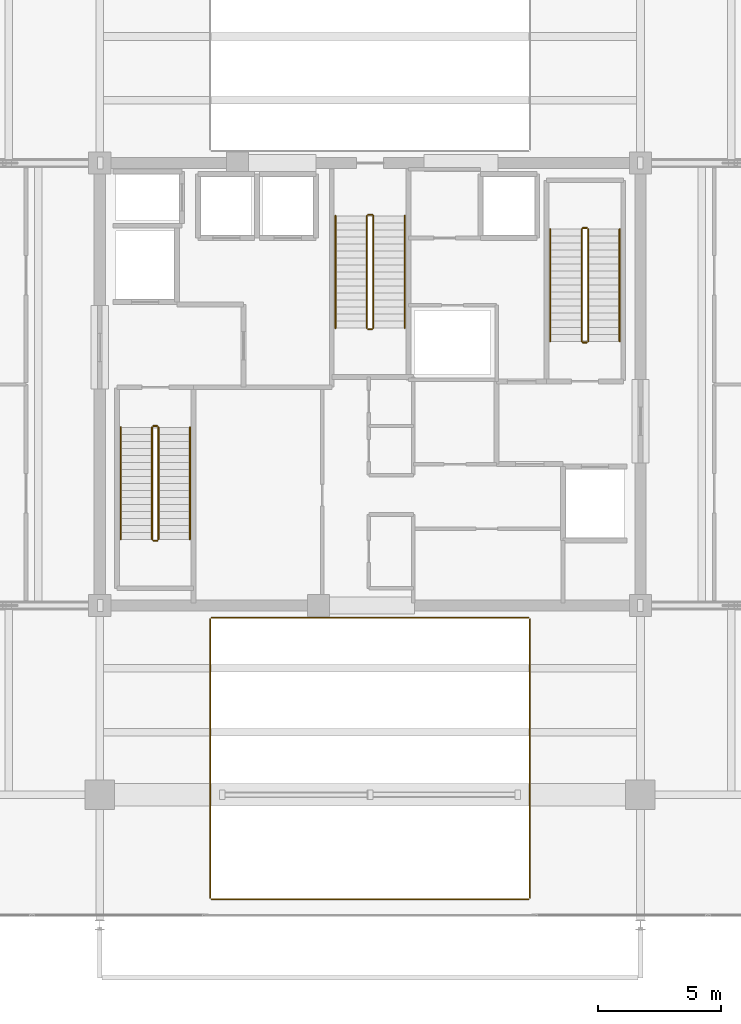
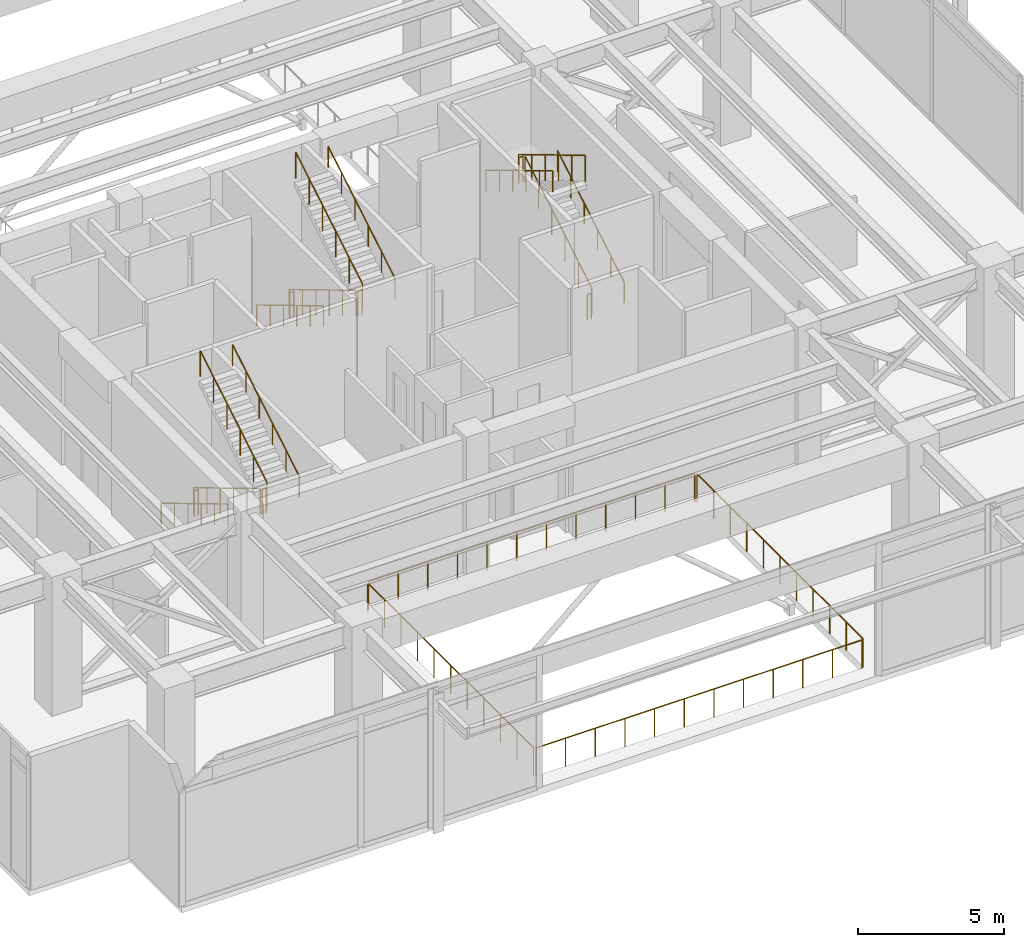
# One storey, part 25 of 26: 22 railings.
"""IFC4 building model written with IfcOpenShell, lengths in metres."""

from ifc_helpers import new_model, si_unit, direction, frame, origin, origin_2d, place, context, subcontext, project, spatial, circle, extrude, material, type_object, element, save


model = new_model("IFC4")

# Units and contexts
model_context = context("Model", 3, precision=1e-05, world=origin(), true_north=direction((0.0, 1.0)))
body_context = subcontext(model_context, "Body", "Model", "MODEL_VIEW")
ifc_project = project(units=[si_unit("LENGTHUNIT", "METRE"), si_unit("AREAUNIT", "SQUARE_METRE"), si_unit("VOLUMEUNIT", "CUBIC_METRE"), si_unit("PLANEANGLEUNIT", "RADIAN"), si_unit("MASSUNIT", "GRAM", prefix="KILO")], contexts=[model_context])

# Site, building, storey
site_placement = place(None, origin())
site = spatial("IfcSite", under=ifc_project, at=site_placement, CompositionType="ELEMENT")
building_placement = place(site_placement, origin())
building = spatial("IfcBuilding", under=site, at=building_placement, Name="Kovane Verandah Tower", CompositionType="ELEMENT")
storey_placement = place(building_placement, frame((0.0, 0.0, 301.0)))
storey = spatial("IfcBuildingStorey", under=building, at=storey_placement, Name="L70", CompositionType="ELEMENT", Elevation=301.0)

# Railings
ifc_material_1 = material(Name="Pale-Champagne Stainless Steel and Glass Perimeter Guard", Category="steel")
railing_type_1 = type_object("IfcRailingType", Name="RL-GDN-1200", PredefinedType="GUARDRAIL", material=ifc_material_1)
railing_1_placement = place(storey_placement, frame((33.56005859375, 6.550048828125, 0.0)))
element("IfcRailing", 1, at=railing_1_placement, inside=storey, type_object=railing_type_1, Name="L70 Wind-Portal S Perimeter Guard S", PredefinedType="GUARDRAIL", context=body_context, shape_type="SweptSolid", body=[
    extrude(circle(Radius=0.02392578125, at=origin_2d()), frame((0.0, 0.0, 1.17578125), z_axis=(1.0, 0.0, 0.0), x_axis=(0.0, 1.0, 0.0)), (0.0, 0.0, 1.0), 12.8798828125),
    extrude(circle(Radius=0.02099609375, at=origin_2d()), origin(), (0.0, 0.0, 1.0), 1.15185546875),
    extrude(circle(Radius=0.02099609375, at=origin_2d()), frame((1.1708984375, 0.0, 0.0)), (0.0, 0.0, 1.0), 1.15185546875),
    extrude(circle(Radius=0.02099609375, at=origin_2d()), frame((2.341796875, 0.0, 0.0)), (0.0, 0.0, 1.0), 1.15185546875),
    extrude(circle(Radius=0.02099609375, at=origin_2d()), frame((3.5126953125, 0.0, 0.0)), (0.0, 0.0, 1.0), 1.15185546875),
    extrude(circle(Radius=0.02099609375, at=origin_2d()), frame((4.68359375, 0.0, 0.0)), (0.0, 0.0, 1.0), 1.15185546875),
    extrude(circle(Radius=0.02099609375, at=origin_2d()), frame((5.8544921875, 0.0, 0.0)), (0.0, 0.0, 1.0), 1.15185546875),
    extrude(circle(Radius=0.02099609375, at=origin_2d()), frame((7.025390625, 0.0, 0.0)), (0.0, 0.0, 1.0), 1.15185546875),
    extrude(circle(Radius=0.02099609375, at=origin_2d()), frame((8.1962890625, 0.0, 0.0)), (0.0, 0.0, 1.0), 1.15185546875),
    extrude(circle(Radius=0.02099609375, at=origin_2d()), frame((9.3671875, 0.0, 0.0)), (0.0, 0.0, 1.0), 1.15185546875),
    extrude(circle(Radius=0.02099609375, at=origin_2d()), frame((10.5380859375, 0.0, 0.0)), (0.0, 0.0, 1.0), 1.15185546875),
    extrude(circle(Radius=0.02099609375, at=origin_2d()), frame((11.708984375, 0.0, 0.0)), (0.0, 0.0, 1.0), 1.15185546875),
    extrude(circle(Radius=0.02099609375, at=origin_2d()), frame((12.8798828125, 0.0, 0.0)), (0.0, 0.0, 1.0), 1.15185546875),
])
railing_2_placement = place(storey_placement, frame((46.5, 6.610107421875, 0.0)))
element("IfcRailing", 2, at=railing_2_placement, inside=storey, type_object=railing_type_1, Name="L70 Wind-Portal S Perimeter Guard E", PredefinedType="GUARDRAIL", context=body_context, shape_type="SweptSolid", body=[
    extrude(circle(Radius=0.02392578125, at=origin_2d()), frame((0.0, 0.0, 1.17578125), z_axis=(0.0, 1.0, 0.0), x_axis=(-1.0, 0.0, 0.0)), (0.0, 0.0, 1.0), 11.329833984375),
    extrude(circle(Radius=0.02099609375, at=origin_2d()), origin(), (0.0, 0.0, 1.0), 1.15185546875),
    extrude(circle(Radius=0.02099609375, at=origin_2d()), frame((0.0, 1.133056640625, 0.0)), (0.0, 0.0, 1.0), 1.15185546875),
    extrude(circle(Radius=0.02099609375, at=origin_2d()), frame((0.0, 2.265869140625, 0.0)), (0.0, 0.0, 1.0), 1.15185546875),
    extrude(circle(Radius=0.02099609375, at=origin_2d()), frame((0.0, 3.39892578125, 0.0)), (0.0, 0.0, 1.0), 1.15185546875),
    extrude(circle(Radius=0.02099609375, at=origin_2d()), frame((0.0, 4.531982421875, 0.0)), (0.0, 0.0, 1.0), 1.15185546875),
    extrude(circle(Radius=0.02099609375, at=origin_2d()), frame((0.0, 5.6650390625, 0.0)), (0.0, 0.0, 1.0), 1.15185546875),
    extrude(circle(Radius=0.02099609375, at=origin_2d()), frame((0.0, 6.7978515625, 0.0)), (0.0, 0.0, 1.0), 1.15185546875),
    extrude(circle(Radius=0.02099609375, at=origin_2d()), frame((0.0, 7.930908203125, 0.0)), (0.0, 0.0, 1.0), 1.15185546875),
    extrude(circle(Radius=0.02099609375, at=origin_2d()), frame((0.0, 9.06396484375, 0.0)), (0.0, 0.0, 1.0), 1.15185546875),
    extrude(circle(Radius=0.02099609375, at=origin_2d()), frame((0.0, 10.19677734375, 0.0)), (0.0, 0.0, 1.0), 1.15185546875),
    extrude(circle(Radius=0.02099609375, at=origin_2d()), frame((0.0, 11.329833984375, 0.0)), (0.0, 0.0, 1.0), 1.15185546875),
])
railing_3_placement = place(storey_placement, frame((46.43994140625, 18.0, 0.0)))
element("IfcRailing", 3, at=railing_3_placement, inside=storey, type_object=railing_type_1, Name="L70 Wind-Portal S Perimeter Guard N", PredefinedType="GUARDRAIL", context=body_context, shape_type="SweptSolid", body=[
    extrude(circle(Radius=0.02392578125, at=origin_2d()), frame((0.0, 0.0, 1.17578125), z_axis=(-1.0, 0.0, 0.0), x_axis=(0.0, -1.0, 0.0)), (0.0, 0.0, 1.0), 12.8798828125),
    extrude(circle(Radius=0.02099609375, at=origin_2d()), origin(), (0.0, 0.0, 1.0), 1.15185546875),
    extrude(circle(Radius=0.02099609375, at=origin_2d()), frame((-1.1708984375, 0.0, 0.0)), (0.0, 0.0, 1.0), 1.15185546875),
    extrude(circle(Radius=0.02099609375, at=origin_2d()), frame((-2.341796875, 0.0, 0.0)), (0.0, 0.0, 1.0), 1.15185546875),
    extrude(circle(Radius=0.02099609375, at=origin_2d()), frame((-3.5126953125, 0.0, 0.0)), (0.0, 0.0, 1.0), 1.15185546875),
    extrude(circle(Radius=0.02099609375, at=origin_2d()), frame((-4.68359375, 0.0, 0.0)), (0.0, 0.0, 1.0), 1.15185546875),
    extrude(circle(Radius=0.02099609375, at=origin_2d()), frame((-5.8544921875, 0.0, 0.0)), (0.0, 0.0, 1.0), 1.15185546875),
    extrude(circle(Radius=0.02099609375, at=origin_2d()), frame((-7.025390625, 0.0, 0.0)), (0.0, 0.0, 1.0), 1.15185546875),
    extrude(circle(Radius=0.02099609375, at=origin_2d()), frame((-8.1962890625, 0.0, 0.0)), (0.0, 0.0, 1.0), 1.15185546875),
    extrude(circle(Radius=0.02099609375, at=origin_2d()), frame((-9.3671875, 0.0, 0.0)), (0.0, 0.0, 1.0), 1.15185546875),
    extrude(circle(Radius=0.02099609375, at=origin_2d()), frame((-10.5380859375, 0.0, 0.0)), (0.0, 0.0, 1.0), 1.15185546875),
    extrude(circle(Radius=0.02099609375, at=origin_2d()), frame((-11.708984375, 0.0, 0.0)), (0.0, 0.0, 1.0), 1.15185546875),
    extrude(circle(Radius=0.02099609375, at=origin_2d()), frame((-12.8798828125, 0.0, 0.0)), (0.0, 0.0, 1.0), 1.15185546875),
])
railing_4_placement = place(storey_placement, frame((33.5, 17.93994140625, 0.0)))
element("IfcRailing", 4, at=railing_4_placement, inside=storey, type_object=railing_type_1, Name="L70 Wind-Portal S Perimeter Guard W", PredefinedType="GUARDRAIL", context=body_context, shape_type="SweptSolid", body=[
    extrude(circle(Radius=0.02392578125, at=origin_2d()), frame((0.0, 0.0, 1.17578125), z_axis=(0.0, -1.0, 0.0), x_axis=(1.0, 0.0, 0.0)), (0.0, 0.0, 1.0), 11.329833984375),
    extrude(circle(Radius=0.02099609375, at=origin_2d()), origin(), (0.0, 0.0, 1.0), 1.15185546875),
    extrude(circle(Radius=0.02099609375, at=origin_2d()), frame((0.0, -1.133056640625, 0.0)), (0.0, 0.0, 1.0), 1.15185546875),
    extrude(circle(Radius=0.02099609375, at=origin_2d()), frame((0.0, -2.265869140625, 0.0)), (0.0, 0.0, 1.0), 1.15185546875),
    extrude(circle(Radius=0.02099609375, at=origin_2d()), frame((0.0, -3.39892578125, 0.0)), (0.0, 0.0, 1.0), 1.15185546875),
    extrude(circle(Radius=0.02099609375, at=origin_2d()), frame((0.0, -4.531982421875, 0.0)), (0.0, 0.0, 1.0), 1.15185546875),
    extrude(circle(Radius=0.02099609375, at=origin_2d()), frame((0.0, -5.6650390625, 0.0)), (0.0, 0.0, 1.0), 1.15185546875),
    extrude(circle(Radius=0.02099609375, at=origin_2d()), frame((0.0, -6.7978515625, 0.0)), (0.0, 0.0, 1.0), 1.15185546875),
    extrude(circle(Radius=0.02099609375, at=origin_2d()), frame((0.0, -7.930908203125, 0.0)), (0.0, 0.0, 1.0), 1.15185546875),
    extrude(circle(Radius=0.02099609375, at=origin_2d()), frame((0.0, -9.06396484375, 0.0)), (0.0, 0.0, 1.0), 1.15185546875),
    extrude(circle(Radius=0.02099609375, at=origin_2d()), frame((0.0, -10.19677734375, 0.0)), (0.0, 0.0, 1.0), 1.15185546875),
    extrude(circle(Radius=0.02099609375, at=origin_2d()), frame((0.0, -11.329833984375, 0.0)), (0.0, 0.0, 1.0), 1.15185546875),
])
ifc_material_2 = material(Name="Brushed Stainless Steel Handrail", Category="steel")
railing_type_2 = type_object("IfcRailingType", Name="RL-HAND-920", PredefinedType="HANDRAIL", material=ifc_material_2)
railing_5_placement = place(storey_placement, frame((29.85009765625, 25.75, 0.170654296875)))
element("IfcRailing", 5, at=railing_5_placement, inside=storey, type_object=railing_type_2, Name="L70 ST-01 stair handrail 1", PredefinedType="HANDRAIL", context=body_context, shape_type="SweptSolid", body=[
    extrude(circle(Radius=0.02392578125, at=origin_2d()), frame((0.0, 0.0, 0.8759765625), z_axis=(0.0, -0.858055844578, 0.513556391827), x_axis=(1.0, 0.0, 0.0)), (0.0, 0.0, 1.0), 5.314453125),
    extrude(circle(Radius=0.02099609375, at=origin_2d()), origin(), (0.0, 0.0, 1.0), 0.851806640625),
    extrude(circle(Radius=0.02099609375, at=origin_2d()), frame((0.0, -0.912109375, 0.5458984375)), (0.0, 0.0, 1.0), 0.851806640625),
    extrude(circle(Radius=0.02099609375, at=origin_2d()), frame((0.0, -1.823974609375, 1.091796875)), (0.0, 0.0, 1.0), 0.851806640625),
    extrude(circle(Radius=0.02099609375, at=origin_2d()), frame((0.0, -2.736083984375, 1.637451171875)), (0.0, 0.0, 1.0), 0.851806640625),
    extrude(circle(Radius=0.02099609375, at=origin_2d()), frame((0.0, -3.64794921875, 2.183349609375)), (0.0, 0.0, 1.0), 0.851806640625),
    extrude(circle(Radius=0.02099609375, at=origin_2d()), frame((0.0, -4.56005859375, 2.729248046875)), (0.0, 0.0, 1.0), 0.851806640625),
])
railing_6_placement = place(storey_placement, frame((32.669921875, 21.18994140625, 3.070556640625)))
element("IfcRailing", 6, at=railing_6_placement, inside=storey, type_object=railing_type_2, Name="L70 ST-01 stair handrail 2", PredefinedType="HANDRAIL", context=body_context, shape_type="SweptSolid", body=[
    extrude(circle(Radius=0.02392578125, at=origin_2d()), frame((0.0, 0.0, 0.8759765625), z_axis=(0.0, 0.858035600736, 0.513590213954), x_axis=(-1.0, 0.0, 0.0)), (0.0, 0.0, 1.0), 5.314453125),
    extrude(circle(Radius=0.02099609375, at=origin_2d()), origin(), (0.0, 0.0, 1.0), 0.851806640625),
    extrude(circle(Radius=0.02099609375, at=origin_2d()), frame((0.0, 0.912109375, 0.5458984375)), (0.0, 0.0, 1.0), 0.851806640625),
    extrude(circle(Radius=0.02099609375, at=origin_2d()), frame((0.0, 1.823974609375, 1.091796875)), (0.0, 0.0, 1.0), 0.851806640625),
    extrude(circle(Radius=0.02099609375, at=origin_2d()), frame((0.0, 2.736083984375, 1.6376953125)), (0.0, 0.0, 1.0), 0.851806640625),
    extrude(circle(Radius=0.02099609375, at=origin_2d()), frame((0.0, 3.64794921875, 2.18359375)), (0.0, 0.0, 1.0), 0.851806640625),
    extrude(circle(Radius=0.02099609375, at=origin_2d()), frame((0.0, 4.56005859375, 2.7294921875)), (0.0, 0.0, 1.0), 0.851806640625),
])
railing_7_placement = place(storey_placement, frame((50.14990234375, 29.25, 0.170654296875)))
element("IfcRailing", 7, at=railing_7_placement, inside=storey, type_object=railing_type_2, Name="L70 ST-02 stair handrail 1", PredefinedType="HANDRAIL", context=body_context, shape_type="SweptSolid", body=[
    extrude(circle(Radius=0.02392578125, at=origin_2d()), frame((0.0, 0.0, 0.8759765625), z_axis=(0.0, 0.858055844578, 0.513556391827), x_axis=(-1.0, 0.0, 0.0)), (0.0, 0.0, 1.0), 5.314453125),
    extrude(circle(Radius=0.02099609375, at=origin_2d()), origin(), (0.0, 0.0, 1.0), 0.851806640625),
    extrude(circle(Radius=0.02099609375, at=origin_2d()), frame((0.0, 0.912109375, 0.5458984375)), (0.0, 0.0, 1.0), 0.851806640625),
    extrude(circle(Radius=0.02099609375, at=origin_2d()), frame((0.0, 1.823974609375, 1.091796875)), (0.0, 0.0, 1.0), 0.851806640625),
    extrude(circle(Radius=0.02099609375, at=origin_2d()), frame((0.0, 2.736083984375, 1.637451171875)), (0.0, 0.0, 1.0), 0.851806640625),
    extrude(circle(Radius=0.02099609375, at=origin_2d()), frame((0.0, 3.64794921875, 2.183349609375)), (0.0, 0.0, 1.0), 0.851806640625),
    extrude(circle(Radius=0.02099609375, at=origin_2d()), frame((0.0, 4.56005859375, 2.729248046875)), (0.0, 0.0, 1.0), 0.851806640625),
])
railing_8_placement = place(storey_placement, frame((47.330078125, 33.81005859375, 3.070556640625)))
element("IfcRailing", 8, at=railing_8_placement, inside=storey, type_object=railing_type_2, Name="L70 ST-02 stair handrail 2", PredefinedType="HANDRAIL", context=body_context, shape_type="SweptSolid", body=[
    extrude(circle(Radius=0.02392578125, at=origin_2d()), frame((0.0, 0.0, 0.8759765625), z_axis=(0.0, -0.858035600736, 0.513590213954), x_axis=(1.0, 0.0, 0.0)), (0.0, 0.0, 1.0), 5.314453125),
    extrude(circle(Radius=0.02099609375, at=origin_2d()), origin(), (0.0, 0.0, 1.0), 0.851806640625),
    extrude(circle(Radius=0.02099609375, at=origin_2d()), frame((0.0, -0.912109375, 0.5458984375)), (0.0, 0.0, 1.0), 0.851806640625),
    extrude(circle(Radius=0.02099609375, at=origin_2d()), frame((0.0, -1.823974609375, 1.091796875)), (0.0, 0.0, 1.0), 0.851806640625),
    extrude(circle(Radius=0.02099609375, at=origin_2d()), frame((0.0, -2.736083984375, 1.6376953125)), (0.0, 0.0, 1.0), 0.851806640625),
    extrude(circle(Radius=0.02099609375, at=origin_2d()), frame((0.0, -3.64794921875, 2.18359375)), (0.0, 0.0, 1.0), 0.851806640625),
    extrude(circle(Radius=0.02099609375, at=origin_2d()), frame((0.0, -4.56005859375, 2.7294921875)), (0.0, 0.0, 1.0), 0.851806640625),
])
railing_9_placement = place(storey_placement, frame((38.590087890625, 34.35009765625, 0.170654296875)))
element("IfcRailing", 9, at=railing_9_placement, inside=storey, type_object=railing_type_2, Name="L70 ST-03 stair handrail 1", PredefinedType="HANDRAIL", context=body_context, shape_type="SweptSolid", body=[
    extrude(circle(Radius=0.02392578125, at=origin_2d()), frame((0.0, 0.0, 0.8759765625), z_axis=(0.0, -0.858055844578, 0.513556391827), x_axis=(1.0, 0.0, 0.0)), (0.0, 0.0, 1.0), 5.314453125),
    extrude(circle(Radius=0.02099609375, at=origin_2d()), origin(), (0.0, 0.0, 1.0), 0.851806640625),
    extrude(circle(Radius=0.02099609375, at=origin_2d()), frame((0.0, -0.912109375, 0.5458984375)), (0.0, 0.0, 1.0), 0.851806640625),
    extrude(circle(Radius=0.02099609375, at=origin_2d()), frame((0.0, -1.823974609375, 1.091796875)), (0.0, 0.0, 1.0), 0.851806640625),
    extrude(circle(Radius=0.02099609375, at=origin_2d()), frame((0.0, -2.736083984375, 1.637451171875)), (0.0, 0.0, 1.0), 0.851806640625),
    extrude(circle(Radius=0.02099609375, at=origin_2d()), frame((0.0, -3.64794921875, 2.183349609375)), (0.0, 0.0, 1.0), 0.851806640625),
    extrude(circle(Radius=0.02099609375, at=origin_2d()), frame((0.0, -4.56005859375, 2.729248046875)), (0.0, 0.0, 1.0), 0.851806640625),
])
railing_10_placement = place(storey_placement, frame((41.409912109375, 29.7900390625, 3.070556640625)))
element("IfcRailing", 10, at=railing_10_placement, inside=storey, type_object=railing_type_2, Name="L70 ST-03 stair handrail 2", PredefinedType="HANDRAIL", context=body_context, shape_type="SweptSolid", body=[
    extrude(circle(Radius=0.02392578125, at=origin_2d()), frame((0.0, 0.0, 0.8759765625), z_axis=(0.0, 0.858035600736, 0.513590213954), x_axis=(-1.0, 0.0, 0.0)), (0.0, 0.0, 1.0), 5.314453125),
    extrude(circle(Radius=0.02099609375, at=origin_2d()), origin(), (0.0, 0.0, 1.0), 0.851806640625),
    extrude(circle(Radius=0.02099609375, at=origin_2d()), frame((0.0, 0.912109375, 0.5458984375)), (0.0, 0.0, 1.0), 0.851806640625),
    extrude(circle(Radius=0.02099609375, at=origin_2d()), frame((0.0, 1.823974609375, 1.091796875)), (0.0, 0.0, 1.0), 0.851806640625),
    extrude(circle(Radius=0.02099609375, at=origin_2d()), frame((0.0, 2.736083984375, 1.6376953125)), (0.0, 0.0, 1.0), 0.851806640625),
    extrude(circle(Radius=0.02099609375, at=origin_2d()), frame((0.0, 3.64794921875, 2.18359375)), (0.0, 0.0, 1.0), 0.851806640625),
    extrude(circle(Radius=0.02099609375, at=origin_2d()), frame((0.0, 4.56005859375, 2.7294921875)), (0.0, 0.0, 1.0), 0.851806640625),
])
ifc_material_3 = material(Name="Painted Steel Stairwell Guardrail", Category="steel")
railing_type_3 = type_object("IfcRailingType", Name="RL-STGUARD-1120", PredefinedType="GUARDRAIL", material=ifc_material_3)
railing_11_placement = place(storey_placement, frame((31.1298828125, 25.75, 0.170654296875)))
element("IfcRailing", 11, at=railing_11_placement, inside=storey, type_object=railing_type_3, Name="L70 ST-01 stair guard 1", PredefinedType="GUARDRAIL", context=body_context, shape_type="SweptSolid", body=[
    extrude(circle(Radius=0.02392578125, at=origin_2d()), frame((0.0, 0.0, 1.076171875), z_axis=(0.0, -0.858055844578, 0.513556391827), x_axis=(1.0, 0.0, 0.0)), (0.0, 0.0, 1.0), 5.314453125),
    extrude(circle(Radius=0.02099609375, at=origin_2d()), origin(), (0.0, 0.0, 1.0), 1.052001953125),
    extrude(circle(Radius=0.02099609375, at=origin_2d()), frame((0.0, -0.912109375, 0.5458984375)), (0.0, 0.0, 1.0), 1.052001953125),
    extrude(circle(Radius=0.02099609375, at=origin_2d()), frame((0.0, -1.823974609375, 1.091796875)), (0.0, 0.0, 1.0), 1.052001953125),
    extrude(circle(Radius=0.02099609375, at=origin_2d()), frame((0.0, -2.736083984375, 1.637451171875)), (0.0, 0.0, 1.0), 1.052001953125),
    extrude(circle(Radius=0.02099609375, at=origin_2d()), frame((0.0, -3.64794921875, 2.183349609375)), (0.0, 0.0, 1.0), 1.052001953125),
    extrude(circle(Radius=0.02099609375, at=origin_2d()), frame((0.0, -4.56005859375, 2.729248046875)), (0.0, 0.0, 1.0), 1.052001953125),
])
railing_12_placement = place(storey_placement, frame((31.179931640625, 21.139892578125, 2.89990234375)))
element("IfcRailing", 12, at=railing_12_placement, inside=storey, type_object=railing_type_3, Name="L70 ST-01 stair guard 2", PredefinedType="GUARDRAIL", context=body_context, shape_type="SweptSolid", body=[
    extrude(circle(Radius=0.02392578125, at=origin_2d()), frame((0.0, 0.0, 1.076171875), z_axis=(1.0, 0.0, 0.0), x_axis=(0.0, 1.0, 0.0)), (0.0, 0.0, 1.0), 0.16015625),
    extrude(circle(Radius=0.02099609375, at=origin_2d()), origin(), (0.0, 0.0, 1.0), 1.052001953125),
    extrude(circle(Radius=0.02099609375, at=origin_2d()), frame((0.16015625, 0.0, 0.0)), (0.0, 0.0, 1.0), 1.052001953125),
])
railing_13_placement = place(storey_placement, frame((31.389892578125, 21.18994140625, 3.070556640625)))
element("IfcRailing", 13, at=railing_13_placement, inside=storey, type_object=railing_type_3, Name="L70 ST-01 stair guard 3", PredefinedType="GUARDRAIL", context=body_context, shape_type="SweptSolid", body=[
    extrude(circle(Radius=0.02392578125, at=origin_2d()), frame((0.0, 0.0, 1.076171875), z_axis=(0.0, 0.858035600736, 0.513590213954), x_axis=(-1.0, 0.0, 0.0)), (0.0, 0.0, 1.0), 5.314453125),
    extrude(circle(Radius=0.02099609375, at=origin_2d()), origin(), (0.0, 0.0, 1.0), 1.052001953125),
    extrude(circle(Radius=0.02099609375, at=origin_2d()), frame((0.0, 0.912109375, 0.5458984375)), (0.0, 0.0, 1.0), 1.052001953125),
    extrude(circle(Radius=0.02099609375, at=origin_2d()), frame((0.0, 1.823974609375, 1.091796875)), (0.0, 0.0, 1.0), 1.052001953125),
    extrude(circle(Radius=0.02099609375, at=origin_2d()), frame((0.0, 2.736083984375, 1.6376953125)), (0.0, 0.0, 1.0), 1.052001953125),
    extrude(circle(Radius=0.02099609375, at=origin_2d()), frame((0.0, 3.64794921875, 2.18359375)), (0.0, 0.0, 1.0), 1.052001953125),
    extrude(circle(Radius=0.02099609375, at=origin_2d()), frame((0.0, 4.56005859375, 2.7294921875)), (0.0, 0.0, 1.0), 1.052001953125),
])
railing_14_placement = place(storey_placement, frame((31.179931640625, 25.800048828125, 0.0)))
element("IfcRailing", 14, at=railing_14_placement, inside=storey, type_object=railing_type_3, Name="L70 ST-01 stair guard 4", PredefinedType="GUARDRAIL", context=body_context, shape_type="SweptSolid", body=[
    extrude(circle(Radius=0.02392578125, at=origin_2d()), frame((0.0, 0.0, 1.076171875), z_axis=(1.0, 0.0, 0.0), x_axis=(0.0, 1.0, 0.0)), (0.0, 0.0, 1.0), 0.16015625),
    extrude(circle(Radius=0.02099609375, at=origin_2d()), origin(), (0.0, 0.0, 1.0), 1.052001953125),
    extrude(circle(Radius=0.02099609375, at=origin_2d()), frame((0.16015625, 0.0, 0.0)), (0.0, 0.0, 1.0), 1.052001953125),
])
railing_15_placement = place(storey_placement, frame((48.8701171875, 29.25, 0.170654296875)))
element("IfcRailing", 15, at=railing_15_placement, inside=storey, type_object=railing_type_3, Name="L70 ST-02 stair guard 1", PredefinedType="GUARDRAIL", context=body_context, shape_type="SweptSolid", body=[
    extrude(circle(Radius=0.02392578125, at=origin_2d()), frame((0.0, 0.0, 1.076171875), z_axis=(0.0, 0.858055844578, 0.513556391827), x_axis=(-1.0, 0.0, 0.0)), (0.0, 0.0, 1.0), 5.314453125),
    extrude(circle(Radius=0.02099609375, at=origin_2d()), origin(), (0.0, 0.0, 1.0), 1.052001953125),
    extrude(circle(Radius=0.02099609375, at=origin_2d()), frame((0.0, 0.912109375, 0.5458984375)), (0.0, 0.0, 1.0), 1.052001953125),
    extrude(circle(Radius=0.02099609375, at=origin_2d()), frame((0.0, 1.823974609375, 1.091796875)), (0.0, 0.0, 1.0), 1.052001953125),
    extrude(circle(Radius=0.02099609375, at=origin_2d()), frame((0.0, 2.736083984375, 1.637451171875)), (0.0, 0.0, 1.0), 1.052001953125),
    extrude(circle(Radius=0.02099609375, at=origin_2d()), frame((0.0, 3.64794921875, 2.183349609375)), (0.0, 0.0, 1.0), 1.052001953125),
    extrude(circle(Radius=0.02099609375, at=origin_2d()), frame((0.0, 4.56005859375, 2.729248046875)), (0.0, 0.0, 1.0), 1.052001953125),
])
railing_16_placement = place(storey_placement, frame((48.820068359375, 33.860107421875, 2.89990234375)))
element("IfcRailing", 16, at=railing_16_placement, inside=storey, type_object=railing_type_3, Name="L70 ST-02 stair guard 2", PredefinedType="GUARDRAIL", context=body_context, shape_type="SweptSolid", body=[
    extrude(circle(Radius=0.02392578125, at=origin_2d()), frame((0.0, 0.0, 1.076171875), z_axis=(-1.0, 0.0, 0.0), x_axis=(0.0, -1.0, 0.0)), (0.0, 0.0, 1.0), 0.16015625),
    extrude(circle(Radius=0.02099609375, at=origin_2d()), origin(), (0.0, 0.0, 1.0), 1.052001953125),
    extrude(circle(Radius=0.02099609375, at=origin_2d()), frame((-0.16015625, 0.0, 0.0)), (0.0, 0.0, 1.0), 1.052001953125),
])
railing_17_placement = place(storey_placement, frame((48.610107421875, 33.81005859375, 3.070556640625)))
element("IfcRailing", 17, at=railing_17_placement, inside=storey, type_object=railing_type_3, Name="L70 ST-02 stair guard 3", PredefinedType="GUARDRAIL", context=body_context, shape_type="SweptSolid", body=[
    extrude(circle(Radius=0.02392578125, at=origin_2d()), frame((0.0, 0.0, 1.076171875), z_axis=(0.0, -0.858035600736, 0.513590213954), x_axis=(1.0, 0.0, 0.0)), (0.0, 0.0, 1.0), 5.314453125),
    extrude(circle(Radius=0.02099609375, at=origin_2d()), origin(), (0.0, 0.0, 1.0), 1.052001953125),
    extrude(circle(Radius=0.02099609375, at=origin_2d()), frame((0.0, -0.912109375, 0.5458984375)), (0.0, 0.0, 1.0), 1.052001953125),
    extrude(circle(Radius=0.02099609375, at=origin_2d()), frame((0.0, -1.823974609375, 1.091796875)), (0.0, 0.0, 1.0), 1.052001953125),
    extrude(circle(Radius=0.02099609375, at=origin_2d()), frame((0.0, -2.736083984375, 1.6376953125)), (0.0, 0.0, 1.0), 1.052001953125),
    extrude(circle(Radius=0.02099609375, at=origin_2d()), frame((0.0, -3.64794921875, 2.18359375)), (0.0, 0.0, 1.0), 1.052001953125),
    extrude(circle(Radius=0.02099609375, at=origin_2d()), frame((0.0, -4.56005859375, 2.7294921875)), (0.0, 0.0, 1.0), 1.052001953125),
])
railing_18_placement = place(storey_placement, frame((48.820068359375, 29.199951171875, 0.0)))
element("IfcRailing", 18, at=railing_18_placement, inside=storey, type_object=railing_type_3, Name="L70 ST-02 stair guard 4", PredefinedType="GUARDRAIL", context=body_context, shape_type="SweptSolid", body=[
    extrude(circle(Radius=0.02392578125, at=origin_2d()), frame((0.0, 0.0, 1.076171875), z_axis=(-1.0, 0.0, 0.0), x_axis=(0.0, -1.0, 0.0)), (0.0, 0.0, 1.0), 0.16015625),
    extrude(circle(Radius=0.02099609375, at=origin_2d()), origin(), (0.0, 0.0, 1.0), 1.052001953125),
    extrude(circle(Radius=0.02099609375, at=origin_2d()), frame((-0.16015625, 0.0, 0.0)), (0.0, 0.0, 1.0), 1.052001953125),
])
railing_19_placement = place(storey_placement, frame((39.8701171875, 34.35009765625, 0.170654296875)))
element("IfcRailing", 19, at=railing_19_placement, inside=storey, type_object=railing_type_3, Name="L70 ST-03 stair guard 1", PredefinedType="GUARDRAIL", context=body_context, shape_type="SweptSolid", body=[
    extrude(circle(Radius=0.02392578125, at=origin_2d()), frame((0.0, 0.0, 1.076171875), z_axis=(0.0, -0.858055844578, 0.513556391827), x_axis=(1.0, 0.0, 0.0)), (0.0, 0.0, 1.0), 5.314453125),
    extrude(circle(Radius=0.02099609375, at=origin_2d()), origin(), (0.0, 0.0, 1.0), 1.052001953125),
    extrude(circle(Radius=0.02099609375, at=origin_2d()), frame((0.0, -0.912109375, 0.5458984375)), (0.0, 0.0, 1.0), 1.052001953125),
    extrude(circle(Radius=0.02099609375, at=origin_2d()), frame((0.0, -1.823974609375, 1.091796875)), (0.0, 0.0, 1.0), 1.052001953125),
    extrude(circle(Radius=0.02099609375, at=origin_2d()), frame((0.0, -2.736083984375, 1.637451171875)), (0.0, 0.0, 1.0), 1.052001953125),
    extrude(circle(Radius=0.02099609375, at=origin_2d()), frame((0.0, -3.64794921875, 2.183349609375)), (0.0, 0.0, 1.0), 1.052001953125),
    extrude(circle(Radius=0.02099609375, at=origin_2d()), frame((0.0, -4.56005859375, 2.729248046875)), (0.0, 0.0, 1.0), 1.052001953125),
])
railing_20_placement = place(storey_placement, frame((39.919921875, 29.739990234375, 2.89990234375)))
element("IfcRailing", 20, at=railing_20_placement, inside=storey, type_object=railing_type_3, Name="L70 ST-03 stair guard 2", PredefinedType="GUARDRAIL", context=body_context, shape_type="SweptSolid", body=[
    extrude(circle(Radius=0.02392578125, at=origin_2d()), frame((0.0, 0.0, 1.076171875), z_axis=(1.0, 0.0, 0.0), x_axis=(0.0, 1.0, 0.0)), (0.0, 0.0, 1.0), 0.16015625),
    extrude(circle(Radius=0.02099609375, at=origin_2d()), origin(), (0.0, 0.0, 1.0), 1.052001953125),
    extrude(circle(Radius=0.02099609375, at=origin_2d()), frame((0.16015625, 0.0, 0.0)), (0.0, 0.0, 1.0), 1.052001953125),
])
railing_21_placement = place(storey_placement, frame((40.1298828125, 29.7900390625, 3.070556640625)))
element("IfcRailing", 21, at=railing_21_placement, inside=storey, type_object=railing_type_3, Name="L70 ST-03 stair guard 3", PredefinedType="GUARDRAIL", context=body_context, shape_type="SweptSolid", body=[
    extrude(circle(Radius=0.02392578125, at=origin_2d()), frame((0.0, 0.0, 1.076171875), z_axis=(0.0, 0.858035600736, 0.513590213954), x_axis=(-1.0, 0.0, 0.0)), (0.0, 0.0, 1.0), 5.314453125),
    extrude(circle(Radius=0.02099609375, at=origin_2d()), origin(), (0.0, 0.0, 1.0), 1.052001953125),
    extrude(circle(Radius=0.02099609375, at=origin_2d()), frame((0.0, 0.912109375, 0.5458984375)), (0.0, 0.0, 1.0), 1.052001953125),
    extrude(circle(Radius=0.02099609375, at=origin_2d()), frame((0.0, 1.823974609375, 1.091796875)), (0.0, 0.0, 1.0), 1.052001953125),
    extrude(circle(Radius=0.02099609375, at=origin_2d()), frame((0.0, 2.736083984375, 1.6376953125)), (0.0, 0.0, 1.0), 1.052001953125),
    extrude(circle(Radius=0.02099609375, at=origin_2d()), frame((0.0, 3.64794921875, 2.18359375)), (0.0, 0.0, 1.0), 1.052001953125),
    extrude(circle(Radius=0.02099609375, at=origin_2d()), frame((0.0, 4.56005859375, 2.7294921875)), (0.0, 0.0, 1.0), 1.052001953125),
])
railing_22_placement = place(storey_placement, frame((39.919921875, 34.39990234375, 0.0)))
element("IfcRailing", 22, at=railing_22_placement, inside=storey, type_object=railing_type_3, Name="L70 ST-03 stair guard 4", PredefinedType="GUARDRAIL", context=body_context, shape_type="SweptSolid", body=[
    extrude(circle(Radius=0.02392578125, at=origin_2d()), frame((0.0, 0.0, 1.076171875), z_axis=(1.0, 0.0, 0.0), x_axis=(0.0, 1.0, 0.0)), (0.0, 0.0, 1.0), 0.16015625),
    extrude(circle(Radius=0.02099609375, at=origin_2d()), origin(), (0.0, 0.0, 1.0), 1.052001953125),
    extrude(circle(Radius=0.02099609375, at=origin_2d()), frame((0.16015625, 0.0, 0.0)), (0.0, 0.0, 1.0), 1.052001953125),
])

save(model, "model.ifc")
